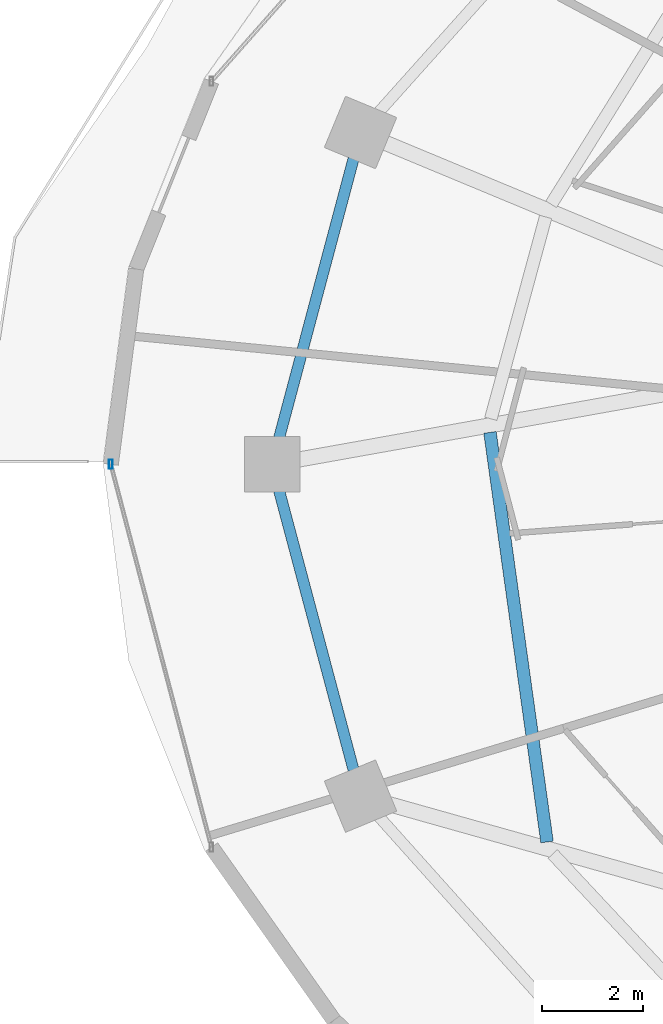
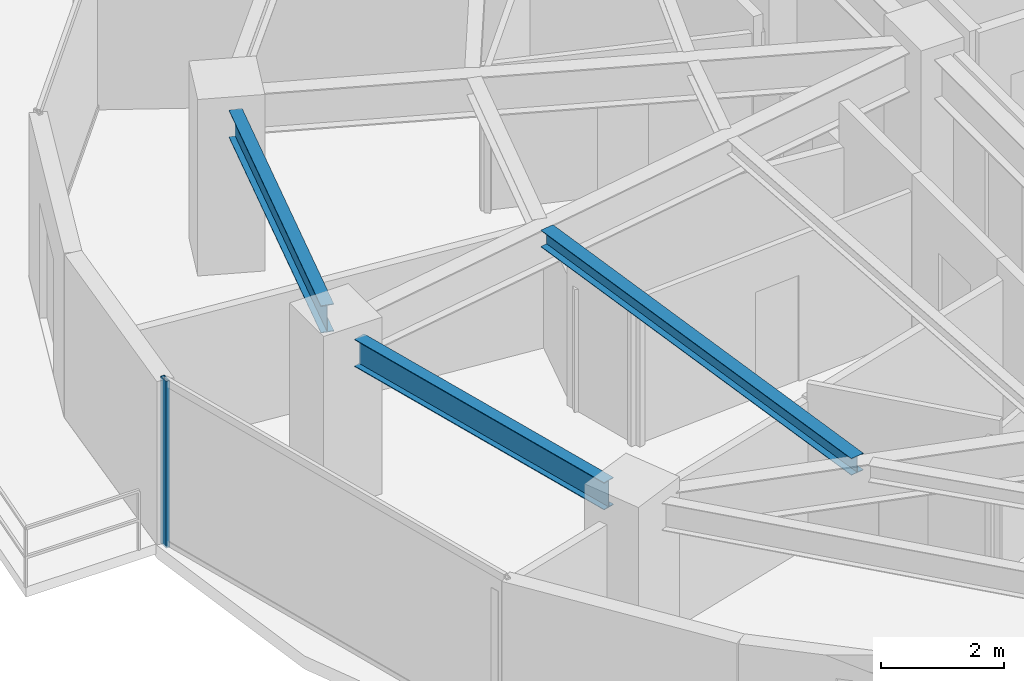
# One storey, part 6 of 29: 3 beams, 1 member, 1 element without a shape of its own.
"""IFC4 building model written with IfcOpenShell, lengths in metres."""

from ifc_helpers import new_model, si_unit, direction, frame, origin, origin_2d, place, context, subcontext, project, spatial, hollow_rectangle, i_section, extrude, material, material_profile, profile_set, type_object, element, aggregate, save


model = new_model("IFC4")

# Units and contexts
model_context = context("Model", 3, precision=1e-05, world=origin(), true_north=direction((0.0, 1.0)))
body_context = subcontext(model_context, "Body", "Model", "MODEL_VIEW")
ifc_project = project(units=[si_unit("LENGTHUNIT", "METRE"), si_unit("AREAUNIT", "SQUARE_METRE"), si_unit("VOLUMEUNIT", "CUBIC_METRE"), si_unit("PLANEANGLEUNIT", "RADIAN"), si_unit("MASSUNIT", "GRAM", prefix="KILO")], contexts=[model_context])

# Site, building, storey
site_placement = place(None, origin())
site = spatial("IfcSite", under=ifc_project, at=site_placement, CompositionType="ELEMENT")
building_placement = place(site_placement, origin())
building = spatial("IfcBuilding", under=site, at=building_placement, Name="Vorneva Point Tower", CompositionType="ELEMENT")
storey_placement = place(building_placement, frame((0.0, 0.0, 110.300048828125)))
storey = spatial("IfcBuildingStorey", under=building, at=storey_placement, Name="L29", CompositionType="ELEMENT", Elevation=110.300048828125)

# Beams
ifc_material_1 = material(Name="Steel S355", Category="steel")
ifc_material_profile_1 = material_profile(ifc_material_1, i_section(OverallWidth=0.2490234375, OverallDepth=0.333984375, WebThickness=0.008056640625, FlangeThickness=0.010986328125, at=origin_2d()), Name="35Sh1")
ifc_profile_set_1 = profile_set([ifc_material_profile_1], Name="Steel S355")
beam_type_1 = type_object("IfcBeamType", Name="BM-SEC-35Sh1", PredefinedType="BEAM", material=ifc_profile_set_1)
beam_placement = place(storey_placement, frame((19.2724609375, 26.633056640625, 3.072998046875), z_axis=(0.137995762833, -0.990432819246, 0.0), x_axis=(0.990432819246, 0.137995762833, 0.0)))
element("IfcBeam", 1, at=beam_placement, inside=storey, type_object=beam_type_1, Name="L29 Secondary Floor Beam 1.09", PredefinedType="BEAM", context=body_context, shape_type="SweptSolid", body=[
    extrude(i_section(OverallWidth=0.2490234375, OverallDepth=0.333984375, WebThickness=0.008056640625, FlangeThickness=0.010986328125, at=origin_2d()), origin(), (0.0, 0.0, 1.0), 8.20361328125),
])
ifc_material_profile_2 = material_profile(ifc_material_1, i_section(OverallWidth=0.219970703125, OverallDepth=0.54296875, WebThickness=0.009521484375, FlangeThickness=0.013427734375, at=origin_2d()), Name="55B1")
ifc_profile_set_2 = profile_set([ifc_material_profile_2], Name="Steel S355")
beam_type_2 = type_object("IfcBeamType", Name="BM-SPN-55B1", PredefinedType="SPANDREL", material=ifc_profile_set_2)
for number, where, z_axis, x_axis, name in (
    (2, (16.56689453125, 32.065185546875, 2.968505859375), (-0.257572674071, -0.966258928845, 0.0), (0.966258928845, -0.257572674071, 0.0), "L29 Perimeter Spandrel Ring Beam 08"),
    (3, (15.087890625, 25.483154296875, 2.968505859375), (0.257572674071, -0.966258928845, 0.0), (0.966258928845, 0.257572674071, 0.0), "L29 Perimeter Spandrel Ring Beam 09"),
):
    element("IfcBeam", number, at=place(storey_placement, frame(where, z_axis=z_axis, x_axis=x_axis)), inside=storey, type_object=beam_type_2, Name=name, PredefinedType="SPANDREL", context=body_context, shape_type="SweptSolid", body=[
        extrude(i_section(OverallWidth=0.219970703125, OverallDepth=0.54296875, WebThickness=0.009521484375, FlangeThickness=0.013427734375, at=origin_2d()), origin(), (0.0, 0.0, 1.0), 5.7421875),
    ])

# Curtain wall, member
ifc_material_2 = material(Name="Pale anodised aluminium", Category="aluminium")
curtain_wall_type = type_object("IfcCurtainWallType", Name="CW-HTL-SYS", PredefinedType="NOTDEFINED", material=ifc_material_2)
curtain_wall_placement = place(storey_placement, origin())
curtain_wall = element("IfcCurtainWall", 4, at=curtain_wall_placement, inside=storey, type_object=curtain_wall_type, Name="L29 Unitised Curtain Wall CW-L29-R03", PredefinedType="NOTDEFINED")
ifc_material_profile_3 = material_profile(ifc_material_2, hollow_rectangle(XDim=0.074951171875, YDim=0.179931640625, WallThickness=0.00390625, at=origin_2d()), Name="AL-MUL 180x75x4")
ifc_profile_set_3 = profile_set([ifc_material_profile_3], Name="Pale anodised aluminium")
member_type = type_object("IfcMemberType", Name="CW-MUL-180", PredefinedType="MULLION", material=ifc_profile_set_3)
member_placement = place(storey_placement, frame((11.75, 26.0, -0.0400390625), z_axis=(0.0, 0.0, 1.0), x_axis=(1.0, 0.0, 0.0)))
member = element("IfcMember", 5, at=member_placement, type_object=member_type, Name="CW-L29-R03 Mullion 01", PredefinedType="MULLION", context=body_context, shape_type="SweptSolid", body=[
    extrude(hollow_rectangle(XDim=0.074951171875, YDim=0.179931640625, WallThickness=0.00390625, at=origin_2d()), origin(), (0.0, 0.0, 1.0), 3.31005859375),
])
aggregate(curtain_wall, [member])

save(model, "model.ifc")
